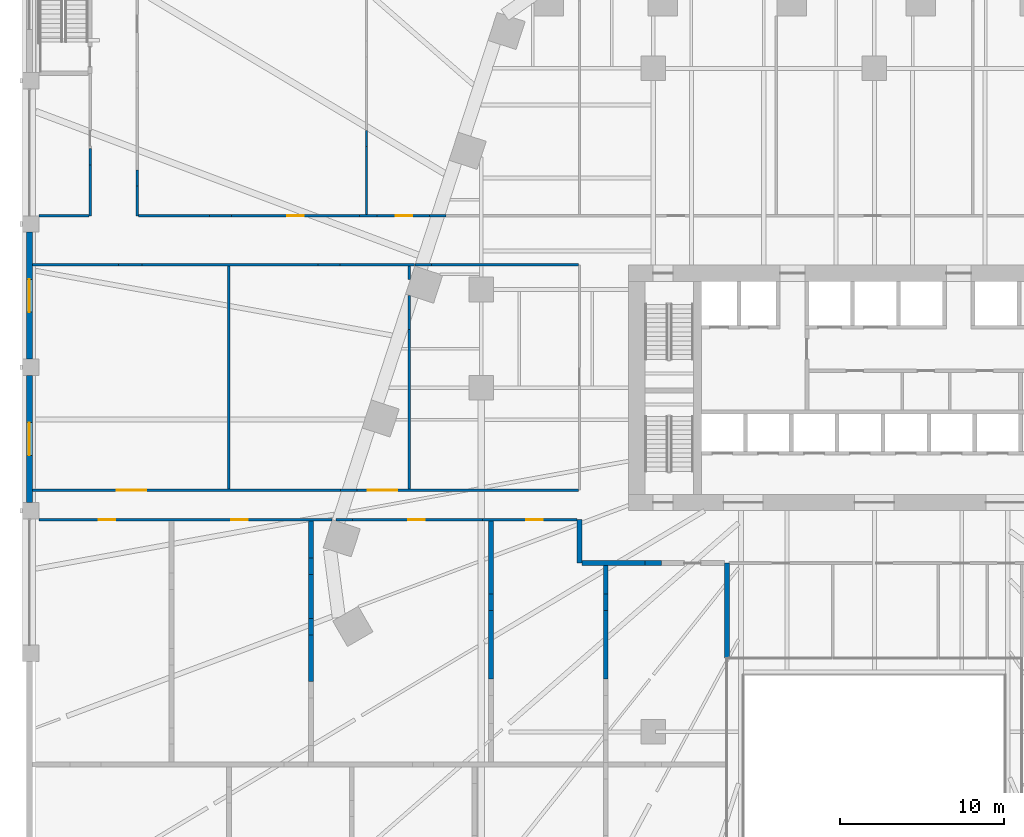
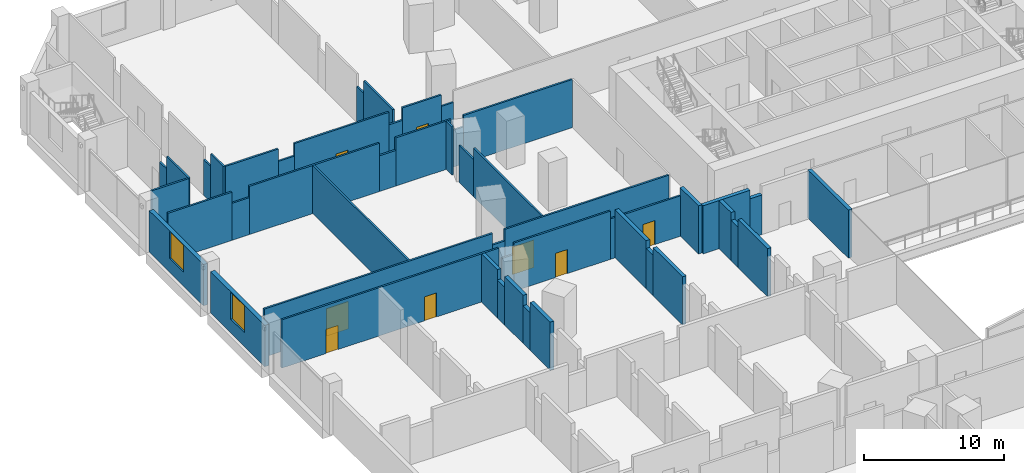
# One storey, part 15 of 33: 48 walls, 8 doors, 2 windows, 10 openings.
"""IFC4 building model written with IfcOpenShell, lengths in metres."""

from ifc_helpers import new_model, si_unit, direction, frame, frame_2d, origin, place, context, subcontext, project, spatial, rectangle, extrude, material, layer, layer_set, type_object, element, fill, save


model = new_model("IFC4")

# Units and contexts
model_context = context("Model", 3, precision=1e-05, world=origin(), true_north=direction((0.0, 1.0)))
body_context = subcontext(model_context, "Body", "Model", "MODEL_VIEW")
ifc_project = project(units=[si_unit("LENGTHUNIT", "METRE"), si_unit("AREAUNIT", "SQUARE_METRE"), si_unit("VOLUMEUNIT", "CUBIC_METRE"), si_unit("PLANEANGLEUNIT", "RADIAN"), si_unit("MASSUNIT", "GRAM", prefix="KILO")], contexts=[model_context])

# Site, building, storey
site_placement = place(None, origin())
site = spatial("IfcSite", under=ifc_project, at=site_placement, CompositionType="ELEMENT")
building_placement = place(site_placement, origin())
building = spatial("IfcBuilding", under=site, at=building_placement, Name="Isthmus Gate Tower", CompositionType="ELEMENT")
storey_placement = place(building_placement, frame((0.0, 0.0, 22.5)))
storey = spatial("IfcBuildingStorey", under=building, at=storey_placement, Name="L03", CompositionType="ELEMENT", Elevation=22.5)

# Walls
ifc_material_1 = material(Name="Double-leaf gypsum board with mineral wool, resilient mounted")
ifc_layer_1 = layer(ifc_material_1, 0.300048828125)
ifc_layer_set_1 = layer_set([ifc_layer_1], Name="Acoustic studio wall 300 double leaf")
wall_type_1 = type_object("IfcWallType", Name="Acoustic studio wall 300 double leaf", PredefinedType="PARTITIONING", material=ifc_layer_set_1)
wall_1_placement = place(storey_placement, frame((-17.85009765625, -3.199951171875, 0.0), z_axis=(0.0, 0.0, 1.0), x_axis=(1.0, 0.0, 0.0)))
element("IfcWall", 1, at=wall_1_placement, inside=storey, type_object=wall_type_1, Name="Acoustic studio wall", PredefinedType="PARTITIONING", context=body_context, shape_type="SweptSolid", body=[
    extrude(rectangle(XDim=3.85009765625, YDim=0.300048828125, at=frame_2d((1.925048828125, 0.0))), origin(), (0.0, 0.0, 1.0), 4.199951171875),
])
wall_2_placement = place(storey_placement, frame((-14.0, -3.199951171875, 0.0), z_axis=(0.0, 0.0, 1.0), x_axis=(1.0, 0.0, 0.0)))
element("IfcWall", 2, at=wall_2_placement, inside=storey, type_object=wall_type_1, Name="Acoustic studio wall", PredefinedType="PARTITIONING", context=body_context, shape_type="SweptSolid", body=[
    extrude(rectangle(XDim=1.0, YDim=0.300048828125, at=frame_2d((0.5, 0.0))), origin(), (0.0, 0.0, 1.0), 3.45068359375),
])
wall_3_placement = place(storey_placement, frame((-34.39990234375, -10.437744140625, 0.0), z_axis=(0.0, 0.0, 1.0), x_axis=(0.0, 1.0, 0.0)))
element("IfcWall", 3, at=wall_3_placement, inside=storey, type_object=wall_type_1, Name="Acoustic studio wall", PredefinedType="PARTITIONING", context=body_context, shape_type="SweptSolid", body=[
    extrude(rectangle(XDim=2.860107421875, YDim=0.300048828125, at=frame_2d((1.43017578125, 0.0))), origin(), (0.0, 0.0, 1.0), 4.199951171875),
])
wall_4_placement = place(storey_placement, frame((-34.39990234375, -7.57763671875, 0.0), z_axis=(0.0, 0.0, 1.0), x_axis=(0.0, 1.0, 0.0)))
element("IfcWall", 4, at=wall_4_placement, inside=storey, type_object=wall_type_1, Name="Acoustic studio wall", PredefinedType="PARTITIONING", context=body_context, shape_type="SweptSolid", body=[
    extrude(rectangle(XDim=1.0, YDim=0.300048828125, at=frame_2d((0.5, 0.0))), origin(), (0.0, 0.0, 1.0), 3.29833984375),
])
wall_5_placement = place(storey_placement, frame((-34.39990234375, -6.57763671875, 0.0), z_axis=(0.0, 0.0, 1.0), x_axis=(0.0, 1.0, 0.0)))
element("IfcWall", 5, at=wall_5_placement, inside=storey, type_object=wall_type_1, Name="Acoustic studio wall", PredefinedType="PARTITIONING", context=body_context, shape_type="SweptSolid", body=[
    extrude(rectangle(XDim=2.685546875, YDim=0.300048828125, at=frame_2d((1.3427734375, 0.0))), origin(), (0.0, 0.0, 1.0), 4.199951171875),
])
wall_6_placement = place(storey_placement, frame((-34.39990234375, -3.89208984375, 0.0), z_axis=(0.0, 0.0, 1.0), x_axis=(0.0, 1.0, 0.0)))
element("IfcWall", 6, at=wall_6_placement, inside=storey, type_object=wall_type_1, Name="Acoustic studio wall", PredefinedType="PARTITIONING", context=body_context, shape_type="SweptSolid", body=[
    extrude(rectangle(XDim=1.0, YDim=0.300048828125, at=frame_2d((0.5, 0.0))), origin(), (0.0, 0.0, 1.0), 3.29833984375),
])
wall_7_placement = place(storey_placement, frame((-34.39990234375, -2.89208984375, 0.0), z_axis=(0.0, 0.0, 1.0), x_axis=(0.0, 1.0, 0.0)))
element("IfcWall", 7, at=wall_7_placement, inside=storey, type_object=wall_type_1, Name="Acoustic studio wall", PredefinedType="PARTITIONING", context=body_context, shape_type="SweptSolid", body=[
    extrude(rectangle(XDim=2.26806640625, YDim=0.300048828125, at=frame_2d((1.134033203125, 0.0))), origin(), (0.0, 0.0, 1.0), 4.199951171875),
])
wall_8_placement = place(storey_placement, frame((-23.39990234375, -10.272705078125, 0.0), z_axis=(0.0, 0.0, 1.0), x_axis=(0.0, 1.0, 0.0)))
element("IfcWall", 8, at=wall_8_placement, inside=storey, type_object=wall_type_1, Name="Acoustic studio wall", PredefinedType="PARTITIONING", context=body_context, shape_type="SweptSolid", body=[
    extrude(rectangle(XDim=4.188232421875, YDim=0.300048828125, at=frame_2d((2.09423828125, 0.0))), origin(), (0.0, 0.0, 1.0), 4.199951171875),
])
wall_9_placement = place(storey_placement, frame((-23.39990234375, -6.08447265625, 0.0), z_axis=(0.0, 0.0, 1.0), x_axis=(0.0, 1.0, 0.0)))
element("IfcWall", 9, at=wall_9_placement, inside=storey, type_object=wall_type_1, Name="Acoustic studio wall", PredefinedType="PARTITIONING", context=body_context, shape_type="SweptSolid", body=[
    extrude(rectangle(XDim=1.0, YDim=0.300048828125, at=frame_2d((0.5, 0.0))), origin(), (0.0, 0.0, 1.0), 3.5205078125),
])
wall_10_placement = place(storey_placement, frame((-23.39990234375, -5.08447265625, 0.0), z_axis=(0.0, 0.0, 1.0), x_axis=(0.0, 1.0, 0.0)))
element("IfcWall", 10, at=wall_10_placement, inside=storey, type_object=wall_type_1, Name="Acoustic studio wall", PredefinedType="PARTITIONING", context=body_context, shape_type="SweptSolid", body=[
    extrude(rectangle(XDim=4.46044921875, YDim=0.300048828125, at=frame_2d((2.230224609375, 0.0))), origin(), (0.0, 0.0, 1.0), 4.199951171875),
])
wall_11_placement = place(storey_placement, frame((-18.0, -3.199951171875, 0.0), z_axis=(0.0, 0.0, 1.0), x_axis=(0.0, 1.0, 0.0)))
element("IfcWall", 11, at=wall_11_placement, inside=storey, type_object=wall_type_1, Name="Acoustic studio wall", PredefinedType="PARTITIONING", context=body_context, shape_type="SweptSolid", body=[
    extrude(rectangle(XDim=2.651123046875, YDim=0.300048828125, at=frame_2d((1.32568359375, 0.0))), origin(), (0.0, 0.0, 1.0), 4.199951171875),
])
wall_12_placement = place(storey_placement, frame((-16.39990234375, -10.272705078125, 0.0), z_axis=(0.0, 0.0, 1.0), x_axis=(0.0, 1.0, 0.0)))
element("IfcWall", 12, at=wall_12_placement, inside=storey, type_object=wall_type_1, Name="Acoustic studio wall", PredefinedType="PARTITIONING", context=body_context, shape_type="SweptSolid", body=[
    extrude(rectangle(XDim=4.188232421875, YDim=0.300048828125, at=frame_2d((2.09423828125, 0.0))), origin(), (0.0, 0.0, 1.0), 4.199951171875),
])
wall_13_placement = place(storey_placement, frame((-16.39990234375, -6.08447265625, 0.0), z_axis=(0.0, 0.0, 1.0), x_axis=(0.0, 1.0, 0.0)))
element("IfcWall", 13, at=wall_13_placement, inside=storey, type_object=wall_type_1, Name="Acoustic studio wall", PredefinedType="PARTITIONING", context=body_context, shape_type="SweptSolid", body=[
    extrude(rectangle(XDim=1.0, YDim=0.300048828125, at=frame_2d((0.5, 0.0))), origin(), (0.0, 0.0, 1.0), 3.5205078125),
])
wall_14_placement = place(storey_placement, frame((-16.39990234375, -5.08447265625, 0.0), z_axis=(0.0, 0.0, 1.0), x_axis=(0.0, 1.0, 0.0)))
element("IfcWall", 14, at=wall_14_placement, inside=storey, type_object=wall_type_1, Name="Acoustic studio wall", PredefinedType="PARTITIONING", context=body_context, shape_type="SweptSolid", body=[
    extrude(rectangle(XDim=1.734375, YDim=0.300048828125, at=frame_2d((0.8671875, 0.0))), origin(), (0.0, 0.0, 1.0), 4.199951171875),
])
wall_15_placement = place(storey_placement, frame((-9.0, -9.0, 0.0), z_axis=(0.0, 0.0, 1.0), x_axis=(0.0, 1.0, 0.0)))
element("IfcWall", 15, at=wall_15_placement, inside=storey, type_object=wall_type_1, Name="Acoustic studio wall", PredefinedType="PARTITIONING", context=body_context, shape_type="SweptSolid", body=[
    extrude(rectangle(XDim=5.800048828125, YDim=0.300048828125, at=frame_2d((2.89990234375, 0.0))), origin(), (0.0, 0.0, 1.0), 4.199951171875),
])
ifc_material_2 = material(Name="Fire-rated gypsum board on steel studs", Category="steel")
ifc_layer_2 = layer(ifc_material_2, 0.14990234375)
ifc_layer_set_2 = layer_set([ifc_layer_2], Name="Fire-rated partition 150 EI 60")
wall_type_2 = type_object("IfcWallType", Name="Fire-rated partition 150 EI 60", PredefinedType="PARTITIONING", material=ifc_layer_set_2)
wall_16_placement = place(storey_placement, frame((-47.875, 18.0, 0.0), z_axis=(0.0, 0.0, 1.0), x_axis=(0.0, 1.0, 0.0)))
element("IfcWall", 16, at=wall_16_placement, inside=storey, type_object=wall_type_2, Name="Fire-rated partition", PredefinedType="PARTITIONING", context=body_context, shape_type="SweptSolid", body=[
    extrude(rectangle(XDim=3.11572265625, YDim=0.14990234375, at=frame_2d((1.557861328125, 0.0))), origin(), (0.0, 0.0, 1.0), 4.199951171875),
])
wall_17_placement = place(storey_placement, frame((-47.875, 21.11572265625, 0.0), z_axis=(0.0, 0.0, 1.0), x_axis=(0.0, 1.0, 0.0)))
element("IfcWall", 17, at=wall_17_placement, inside=storey, type_object=wall_type_2, Name="Fire-rated partition", PredefinedType="PARTITIONING", context=body_context, shape_type="SweptSolid", body=[
    extrude(rectangle(XDim=1.0, YDim=0.14990234375, at=frame_2d((0.5, 0.0))), origin(), (0.0, 0.0, 1.0), 3.111083984375),
])
wall_18_placement = place(storey_placement, frame((-45.0, 18.0, 0.0), z_axis=(0.0, 0.0, 1.0), x_axis=(0.0, 1.0, 0.0)))
element("IfcWall", 18, at=wall_18_placement, inside=storey, type_object=wall_type_2, Name="Fire-rated partition", PredefinedType="PARTITIONING", context=body_context, shape_type="SweptSolid", body=[
    extrude(rectangle(XDim=1.81103515625, YDim=0.14990234375, at=frame_2d((0.905517578125, 0.0))), origin(), (0.0, 0.0, 1.0), 4.199951171875),
])
wall_19_placement = place(storey_placement, frame((-45.0, 19.81103515625, 0.0), z_axis=(0.0, 0.0, 1.0), x_axis=(0.0, 1.0, 0.0)))
element("IfcWall", 19, at=wall_19_placement, inside=storey, type_object=wall_type_2, Name="Fire-rated partition", PredefinedType="PARTITIONING", context=body_context, shape_type="SweptSolid", body=[
    extrude(rectangle(XDim=1.0, YDim=0.14990234375, at=frame_2d((0.5, 0.0))), origin(), (0.0, 0.0, 1.0), 3.111083984375),
])

# Wall, opening, window
ifc_material_3 = material(Name="Precast concrete C40/50, limestone-faced", Category="masonry")
ifc_layer_3 = layer(ifc_material_3, 0.35009765625)
ifc_layer_set_3 = layer_set([ifc_layer_3], Name="PODIUM CLADDING WALL 350")
wall_type_3 = type_object("IfcWallType", Name="PODIUM CLADDING WALL 350", PredefinedType="SOLIDWALL", material=ifc_layer_set_3)
wall_20_placement = place(storey_placement, frame((-51.574951171875, 17.0, -0.300048828125), z_axis=(0.0, 0.0, 1.0), x_axis=(0.0, -1.0, 0.0)))
wall_20 = element("IfcWall", 20, at=wall_20_placement, inside=storey, type_object=wall_type_3, Name="PODIUM WALL", PredefinedType="SOLIDWALL", context=body_context, shape_type="SweptSolid", body=[
    extrude(rectangle(XDim=7.75, YDim=0.35009765625, at=frame_2d((3.875, 0.0))), origin(), (0.0, 0.0, 1.0), 3.60009765625),
])
opening_1_placement = place(wall_20_placement, frame((2.875, 0.0, 1.199951171875)))
opening_1 = element("IfcOpeningElement", 21, at=opening_1_placement, cuts=wall_20, Name="Opening W059", PredefinedType="OPENING", context=body_context, shape_type="SweptSolid", body=[
    extrude(rectangle(XDim=2.0, YDim=2.35009765625, at=frame_2d((1.0, 1.175048828125))), frame((0.0, 0.18505859375, 0.0), z_axis=(0.0, -1.0, 0.0), x_axis=(1.0, 0.0, 0.0)), (0.0, 0.0, 1.0), 0.3701171875),
])
ifc_material_4 = material(Name="Aluminium, pale champagne anodised, laminated glass", Category="aluminium")
window_type = type_object("IfcWindowType", Name="PODIUM SLOT WINDOW 2000 X 2350", PartitioningType="SINGLE_PANEL", PredefinedType="WINDOW", material=ifc_material_4)
window_1_placement = place(opening_1_placement, origin())
window_1 = element("IfcWindow", 22, at=window_1_placement, inside=storey, type_object=window_type, Name="SLOT WINDOW", OverallHeight=2.35009765625, OverallWidth=2.0, PartitioningType="SINGLE_PANEL", PredefinedType="WINDOW", context=body_context, shape_type="SweptSolid", body=[
    extrude(rectangle(XDim=2.0, YDim=2.35009765625, at=frame_2d((1.0, 1.175048828125))), frame((0.0, 0.030029296875, 0.0), z_axis=(0.0, -1.0, 0.0), x_axis=(1.0, 0.0, 0.0)), (0.0, 0.0, 1.0), 0.06005859375),
])
fill(opening_1, window_1)

wall_21_placement = place(storey_placement, frame((-51.574951171875, 8.25, -0.300048828125), z_axis=(0.0, 0.0, 1.0), x_axis=(0.0, -1.0, 0.0)))
wall_21 = element("IfcWall", 23, at=wall_21_placement, inside=storey, type_object=wall_type_3, Name="PODIUM WALL", PredefinedType="SOLIDWALL", context=body_context, shape_type="SweptSolid", body=[
    extrude(rectangle(XDim=7.75, YDim=0.35009765625, at=frame_2d((3.875, 0.0))), origin(), (0.0, 0.0, 1.0), 3.60009765625),
])
opening_2_placement = place(wall_21_placement, frame((2.875, 0.0, 1.199951171875)))
opening_2 = element("IfcOpeningElement", 24, at=opening_2_placement, cuts=wall_21, Name="Opening W060", PredefinedType="OPENING", context=body_context, shape_type="SweptSolid", body=[
    extrude(rectangle(XDim=2.0, YDim=2.35009765625, at=frame_2d((1.0, 1.175048828125))), frame((0.0, 0.18505859375, 0.0), z_axis=(0.0, -1.0, 0.0), x_axis=(1.0, 0.0, 0.0)), (0.0, 0.0, 1.0), 0.3701171875),
])
window_2_placement = place(opening_2_placement, origin())
window_2 = element("IfcWindow", 25, at=window_2_placement, inside=storey, type_object=window_type, Name="SLOT WINDOW", OverallHeight=2.35009765625, OverallWidth=2.0, PartitioningType="SINGLE_PANEL", PredefinedType="WINDOW", context=body_context, shape_type="SweptSolid", body=[
    extrude(rectangle(XDim=2.0, YDim=2.35009765625, at=frame_2d((1.0, 1.175048828125))), frame((0.0, 0.030029296875, 0.0), z_axis=(0.0, -1.0, 0.0), x_axis=(1.0, 0.0, 0.0)), (0.0, 0.0, 1.0), 0.06005859375),
])
fill(opening_2, window_2)

# Wall, openings, doors
ifc_material_5 = material(Name="Gypsum board on cold-formed steel studs", Category="steel")
ifc_layer_4 = layer(ifc_material_5, 0.14990234375)
ifc_layer_set_4 = layer_set([ifc_layer_4])
wall_type_4 = type_object("IfcWallType", Name="Partition 150 gypsum board on steel studs", PredefinedType="PARTITIONING", material=ifc_layer_set_4)
wall_22_placement = place(storey_placement, frame((-51.0, -0.549072265625, 0.0), z_axis=(0.0, 0.0, 1.0), x_axis=(1.0, 0.0, 0.0)))
wall_22 = element("IfcWall", 26, at=wall_22_placement, inside=storey, type_object=wall_type_4, Name="Partition", PredefinedType="PARTITIONING", context=body_context, shape_type="SweptSolid", body=[
    extrude(rectangle(XDim=17.8857421875, YDim=0.14990234375, at=frame_2d((8.94287109375, 0.0))), origin(), (0.0, 0.0, 1.0), 4.199951171875),
])
opening_3_placement = place(wall_22_placement, frame((3.64990234375, 0.0, 0.0)))
opening_3 = element("IfcOpeningElement", 27, at=opening_3_placement, cuts=wall_22, Name="Opening DP03-09", PredefinedType="OPENING", context=body_context, shape_type="SweptSolid", body=[
    extrude(rectangle(XDim=1.0, YDim=2.10009765625, at=frame_2d((0.5, 1.050048828125))), frame((0.0, 0.0849609375, 0.0), z_axis=(0.0, -1.0, 0.0), x_axis=(1.0, 0.0, 0.0)), (0.0, 0.0, 1.0), 0.169921875),
])
opening_4_placement = place(wall_22_placement, frame((11.75, 0.0, 0.0)))
opening_4 = element("IfcOpeningElement", 28, at=opening_4_placement, cuts=wall_22, Name="Opening DP03-10", PredefinedType="OPENING", context=body_context, shape_type="SweptSolid", body=[
    extrude(rectangle(XDim=1.0, YDim=2.10009765625, at=frame_2d((0.5, 1.050048828125))), frame((0.0, 0.0849609375, 0.0), z_axis=(0.0, -1.0, 0.0), x_axis=(1.0, 0.0, 0.0)), (0.0, 0.0, 1.0), 0.169921875),
])
ifc_material_6 = material(Name="Hollow metal frame with solid-core timber leaf", Category="wood")
door_type_1 = type_object("IfcDoorType", Name="Single swing door 1000 x 2100", OperationType="SINGLE_SWING_LEFT", PredefinedType="DOOR", material=ifc_material_6)
door_1_placement = place(opening_3_placement, origin())
door_1 = element("IfcDoor", 29, at=door_1_placement, inside=storey, type_object=door_type_1, Name="Door DP03-09", OperationType="SINGLE_SWING_LEFT", OverallHeight=2.10009765625, OverallWidth=1.0, PredefinedType="DOOR", context=body_context, shape_type="SweptSolid", body=[
    extrude(rectangle(XDim=1.0, YDim=2.10009765625, at=frame_2d((0.5, 1.050048828125))), frame((0.0, 0.02490234375, 0.0), z_axis=(0.0, -1.0, 0.0), x_axis=(1.0, 0.0, 0.0)), (0.0, 0.0, 1.0), 0.050048828125),
])
fill(opening_3, door_1)
door_2_placement = place(opening_4_placement, origin())
door_2 = element("IfcDoor", 30, at=door_2_placement, inside=storey, type_object=door_type_1, Name="Door DP03-10", OperationType="SINGLE_SWING_LEFT", OverallHeight=2.10009765625, OverallWidth=1.0, PredefinedType="DOOR", context=body_context, shape_type="SweptSolid", body=[
    extrude(rectangle(XDim=1.0, YDim=2.10009765625, at=frame_2d((0.5, 1.050048828125))), frame((0.0, 0.02490234375, 0.0), z_axis=(0.0, -1.0, 0.0), x_axis=(1.0, 0.0, 0.0)), (0.0, 0.0, 1.0), 0.050048828125),
])
fill(opening_4, door_2)

# Wall
wall_23_placement = place(storey_placement, frame((-32.85888671875, -0.549072265625, 0.0), z_axis=(0.0, 0.0, 1.0), x_axis=(1.0, 0.0, 0.0)))
element("IfcWall", 31, at=wall_23_placement, inside=storey, type_object=wall_type_4, Name="Partition", PredefinedType="PARTITIONING", context=body_context, shape_type="SweptSolid", body=[
    extrude(rectangle(XDim=1.0, YDim=0.14990234375, at=frame_2d((0.5, 0.0))), origin(), (0.0, 0.0, 1.0), 3.199951171875),
])

# Wall, opening, door
wall_24_placement = place(storey_placement, frame((-31.85888671875, -0.549072265625, 0.0), z_axis=(0.0, 0.0, 1.0), x_axis=(1.0, 0.0, 0.0)))
wall_24 = element("IfcWall", 32, at=wall_24_placement, inside=storey, type_object=wall_type_4, Name="Partition", PredefinedType="PARTITIONING", context=body_context, shape_type="SweptSolid", body=[
    extrude(rectangle(XDim=7.936279296875, YDim=0.14990234375, at=frame_2d((3.96826171875, 0.0))), origin(), (0.0, 0.0, 1.0), 4.199951171875),
])
opening_5_placement = place(wall_24_placement, frame((3.39990234375, 0.0, 0.0)))
opening_5 = element("IfcOpeningElement", 33, at=opening_5_placement, cuts=wall_24, Name="Opening DP03-11", PredefinedType="OPENING", context=body_context, shape_type="SweptSolid", body=[
    extrude(rectangle(XDim=1.0, YDim=2.10009765625, at=frame_2d((0.5, 1.050048828125))), frame((0.0, 0.0849609375, 0.0), z_axis=(0.0, -1.0, 0.0), x_axis=(1.0, 0.0, 0.0)), (0.0, 0.0, 1.0), 0.169921875),
])
door_3_placement = place(opening_5_placement, origin())
door_3 = element("IfcDoor", 34, at=door_3_placement, inside=storey, type_object=door_type_1, Name="Door DP03-11", OperationType="SINGLE_SWING_LEFT", OverallHeight=2.10009765625, OverallWidth=1.0, PredefinedType="DOOR", context=body_context, shape_type="SweptSolid", body=[
    extrude(rectangle(XDim=1.0, YDim=2.10009765625, at=frame_2d((0.5, 1.050048828125))), frame((0.0, 0.02490234375, 0.0), z_axis=(0.0, -1.0, 0.0), x_axis=(1.0, 0.0, 0.0)), (0.0, 0.0, 1.0), 0.050048828125),
])
fill(opening_5, door_3)

wall_25_placement = place(storey_placement, frame((-23.922607421875, -0.549072265625, 0.0), z_axis=(0.0, 0.0, 1.0), x_axis=(1.0, 0.0, 0.0)))
wall_25 = element("IfcWall", 35, at=wall_25_placement, inside=storey, type_object=wall_type_4, Name="Partition", PredefinedType="PARTITIONING", context=body_context, shape_type="SweptSolid", body=[
    extrude(rectangle(XDim=5.772705078125, YDim=0.14990234375, at=frame_2d((2.88623046875, 0.0))), origin(), (0.0, 0.0, 1.0), 3.5205078125),
])
opening_6_placement = place(wall_25_placement, frame((2.672607421875, 0.0, 0.0)))
opening_6 = element("IfcOpeningElement", 36, at=opening_6_placement, cuts=wall_25, Name="Opening DP03-12", PredefinedType="OPENING", context=body_context, shape_type="SweptSolid", body=[
    extrude(rectangle(XDim=1.0, YDim=2.10009765625, at=frame_2d((0.5, 1.050048828125))), frame((0.0, 0.0849609375, 0.0), z_axis=(0.0, -1.0, 0.0), x_axis=(1.0, 0.0, 0.0)), (0.0, 0.0, 1.0), 0.169921875),
])
door_4_placement = place(opening_6_placement, origin())
door_4 = element("IfcDoor", 37, at=door_4_placement, inside=storey, type_object=door_type_1, Name="Door DP03-12", OperationType="SINGLE_SWING_LEFT", OverallHeight=2.10009765625, OverallWidth=1.0, PredefinedType="DOOR", context=body_context, shape_type="SweptSolid", body=[
    extrude(rectangle(XDim=1.0, YDim=2.10009765625, at=frame_2d((0.5, 1.050048828125))), frame((0.0, 0.02490234375, 0.0), z_axis=(0.0, -1.0, 0.0), x_axis=(1.0, 0.0, 0.0)), (0.0, 0.0, 1.0), 0.050048828125),
])
fill(opening_6, door_4)

wall_26_placement = place(storey_placement, frame((-51.39990234375, 1.2509765625, 0.0), z_axis=(0.0, 0.0, 1.0), x_axis=(1.0, 0.0, 0.0)))
wall_26 = element("IfcWall", 38, at=wall_26_placement, inside=storey, type_object=wall_type_4, Name="Partition", PredefinedType="PARTITIONING", context=body_context, shape_type="SweptSolid", body=[
    extrude(rectangle(XDim=18.8154296875, YDim=0.14990234375, at=frame_2d((9.40771484375, 0.0))), origin(), (0.0, 0.0, 1.0), 4.199951171875),
])
opening_7_placement = place(wall_26_placement, frame((5.14990234375, 0.0, 0.0)))
opening_7 = element("IfcOpeningElement", 39, at=opening_7_placement, cuts=wall_26, Name="Opening DP03-40", PredefinedType="OPENING", context=body_context, shape_type="SweptSolid", body=[
    extrude(rectangle(XDim=1.800048828125, YDim=2.39990234375, at=frame_2d((0.89990234375, 1.199951171875))), frame((0.0, 0.0849609375, 0.0), z_axis=(0.0, -1.0, 0.0), x_axis=(1.0, 0.0, 0.0)), (0.0, 0.0, 1.0), 0.169921875),
])
ifc_material_7 = material(Name="Hollow metal frame with solid-core timber leaves", Category="wood")
door_type_2 = type_object("IfcDoorType", Name="Double swing door 1800 x 2400", OperationType="DOUBLE_DOOR_SINGLE_SWING", PredefinedType="DOOR", material=ifc_material_7)
door_5_placement = place(opening_7_placement, origin())
door_5 = element("IfcDoor", 40, at=door_5_placement, inside=storey, type_object=door_type_2, Name="Door DP03-40", OperationType="SINGLE_SWING_LEFT", OverallHeight=2.39990234375, OverallWidth=1.800048828125, PredefinedType="DOOR", context=body_context, shape_type="SweptSolid", body=[
    extrude(rectangle(XDim=1.800048828125, YDim=2.39990234375, at=frame_2d((0.89990234375, 1.199951171875))), frame((0.0, 0.02490234375, 0.0), z_axis=(0.0, -1.0, 0.0), x_axis=(1.0, 0.0, 0.0)), (0.0, 0.0, 1.0), 0.050048828125),
])
fill(opening_7, door_5)

# Wall
wall_27_placement = place(storey_placement, frame((-32.58447265625, 1.2509765625, 0.0), z_axis=(0.0, 0.0, 1.0), x_axis=(1.0, 0.0, 0.0)))
element("IfcWall", 41, at=wall_27_placement, inside=storey, type_object=wall_type_4, Name="Partition", PredefinedType="PARTITIONING", context=body_context, shape_type="SweptSolid", body=[
    extrude(rectangle(XDim=1.0, YDim=0.14990234375, at=frame_2d((0.5, 0.0))), origin(), (0.0, 0.0, 1.0), 3.199951171875),
])

# Wall, opening, door
wall_28_placement = place(storey_placement, frame((-31.58447265625, 1.2509765625, 0.0), z_axis=(0.0, 0.0, 1.0), x_axis=(1.0, 0.0, 0.0)))
wall_28 = element("IfcWall", 42, at=wall_28_placement, inside=storey, type_object=wall_type_4, Name="Partition", PredefinedType="PARTITIONING", context=body_context, shape_type="SweptSolid", body=[
    extrude(rectangle(XDim=13.509521484375, YDim=0.14990234375, at=frame_2d((6.7548828125, 0.0))), origin(), (0.0, 0.0, 1.0), 4.199951171875),
])
opening_8_placement = place(wall_28_placement, frame((0.64990234375, 0.0, 0.0)))
opening_8 = element("IfcOpeningElement", 43, at=opening_8_placement, cuts=wall_28, Name="Opening DP03-41", PredefinedType="OPENING", context=body_context, shape_type="SweptSolid", body=[
    extrude(rectangle(XDim=1.800048828125, YDim=2.39990234375, at=frame_2d((0.89990234375, 1.199951171875))), frame((0.0, 0.0849609375, 0.0), z_axis=(0.0, -1.0, 0.0), x_axis=(1.0, 0.0, 0.0)), (0.0, 0.0, 1.0), 0.169921875),
])
door_6_placement = place(opening_8_placement, origin())
door_6 = element("IfcDoor", 44, at=door_6_placement, inside=storey, type_object=door_type_2, Name="Door DP03-41", OperationType="SINGLE_SWING_LEFT", OverallHeight=2.39990234375, OverallWidth=1.800048828125, PredefinedType="DOOR", context=body_context, shape_type="SweptSolid", body=[
    extrude(rectangle(XDim=1.800048828125, YDim=2.39990234375, at=frame_2d((0.89990234375, 1.199951171875))), frame((0.0, 0.02490234375, 0.0), z_axis=(0.0, -1.0, 0.0), x_axis=(1.0, 0.0, 0.0)), (0.0, 0.0, 1.0), 0.050048828125),
])
fill(opening_8, door_6)

# Walls
wall_29_placement = place(storey_placement, frame((-51.39990234375, 15.0, 0.0), z_axis=(0.0, 0.0, 1.0), x_axis=(1.0, 0.0, 0.0)))
element("IfcWall", 45, at=wall_29_placement, inside=storey, type_object=wall_type_4, Name="Partition", PredefinedType="PARTITIONING", context=body_context, shape_type="SweptSolid", body=[
    extrude(rectangle(XDim=5.27734375, YDim=0.14990234375, at=frame_2d((2.638671875, 0.0))), origin(), (0.0, 0.0, 1.0), 4.199951171875),
])
wall_30_placement = place(storey_placement, frame((-46.12255859375, 15.0, 0.0), z_axis=(0.0, 0.0, 1.0), x_axis=(1.0, 0.0, 0.0)))
element("IfcWall", 46, at=wall_30_placement, inside=storey, type_object=wall_type_4, Name="Partition", PredefinedType="PARTITIONING", context=body_context, shape_type="SweptSolid", body=[
    extrude(rectangle(XDim=1.427734375, YDim=0.14990234375, at=frame_2d((0.7138671875, 0.0))), origin(), (0.0, 0.0, 1.0), 3.218994140625),
])
wall_31_placement = place(storey_placement, frame((-44.69482421875, 15.0, 0.0), z_axis=(0.0, 0.0, 1.0), x_axis=(1.0, 0.0, 0.0)))
element("IfcWall", 47, at=wall_31_placement, inside=storey, type_object=wall_type_4, Name="Partition", PredefinedType="PARTITIONING", context=body_context, shape_type="SweptSolid", body=[
    extrude(rectangle(XDim=10.73388671875, YDim=0.14990234375, at=frame_2d((5.366943359375, 0.0))), origin(), (0.0, 0.0, 1.0), 4.199951171875),
])
wall_32_placement = place(storey_placement, frame((-33.9609375, 15.0, 0.0), z_axis=(0.0, 0.0, 1.0), x_axis=(1.0, 0.0, 0.0)))
element("IfcWall", 48, at=wall_32_placement, inside=storey, type_object=wall_type_4, Name="Partition", PredefinedType="PARTITIONING", context=body_context, shape_type="SweptSolid", body=[
    extrude(rectangle(XDim=1.3310546875, YDim=0.14990234375, at=frame_2d((0.66552734375, 0.0))), origin(), (0.0, 0.0, 1.0), 3.111083984375),
])
wall_33_placement = place(storey_placement, frame((-32.6298828125, 15.0, 0.0), z_axis=(0.0, 0.0, 1.0), x_axis=(1.0, 0.0, 0.0)))
element("IfcWall", 49, at=wall_33_placement, inside=storey, type_object=wall_type_4, Name="Partition", PredefinedType="PARTITIONING", context=body_context, shape_type="SweptSolid", body=[
    extrude(rectangle(XDim=4.56787109375, YDim=0.14990234375, at=frame_2d((2.283935546875, 0.0))), origin(), (0.0, 0.0, 1.0), 4.199951171875),
])
wall_34_placement = place(storey_placement, frame((-28.034912109375, 15.0, 0.0), z_axis=(0.0, 0.0, 1.0), x_axis=(1.0, 0.0, 0.0)))
element("IfcWall", 50, at=wall_34_placement, inside=storey, type_object=wall_type_4, Name="Partition", PredefinedType="PARTITIONING", context=body_context, shape_type="SweptSolid", body=[
    extrude(rectangle(XDim=1.0, YDim=0.14990234375, at=frame_2d((0.5, 0.0))), origin(), (0.0, 0.0, 1.0), 3.199951171875),
])
wall_35_placement = place(storey_placement, frame((-27.034912109375, 15.0, 0.0), z_axis=(0.0, 0.0, 1.0), x_axis=(1.0, 0.0, 0.0)))
element("IfcWall", 51, at=wall_35_placement, inside=storey, type_object=wall_type_4, Name="Partition", PredefinedType="PARTITIONING", context=body_context, shape_type="SweptSolid", body=[
    extrude(rectangle(XDim=8.9599609375, YDim=0.14990234375, at=frame_2d((4.47998046875, 0.0))), origin(), (0.0, 0.0, 1.0), 4.199951171875),
])
wall_36_placement = place(storey_placement, frame((-51.0, 18.0, 0.0), z_axis=(0.0, 0.0, 1.0), x_axis=(1.0, 0.0, 0.0)))
element("IfcWall", 52, at=wall_36_placement, inside=storey, type_object=wall_type_4, Name="Partition", PredefinedType="PARTITIONING", context=body_context, shape_type="SweptSolid", body=[
    extrude(rectangle(XDim=3.050048828125, YDim=0.14990234375, at=frame_2d((1.52490234375, 0.0))), origin(), (0.0, 0.0, 1.0), 4.199951171875),
])
wall_37_placement = place(storey_placement, frame((-44.925048828125, 18.0, 0.0), z_axis=(0.0, 0.0, 1.0), x_axis=(1.0, 0.0, 0.0)))
element("IfcWall", 53, at=wall_37_placement, inside=storey, type_object=wall_type_4, Name="Partition", PredefinedType="PARTITIONING", context=body_context, shape_type="SweptSolid", body=[
    extrude(rectangle(XDim=4.352783203125, YDim=0.14990234375, at=frame_2d((2.17626953125, 0.0))), origin(), (0.0, 0.0, 1.0), 4.199951171875),
])
wall_38_placement = place(storey_placement, frame((-40.572265625, 18.0, 0.0), z_axis=(0.0, 0.0, 1.0), x_axis=(1.0, 0.0, 0.0)))
element("IfcWall", 54, at=wall_38_placement, inside=storey, type_object=wall_type_4, Name="Partition", PredefinedType="PARTITIONING", context=body_context, shape_type="SweptSolid", body=[
    extrude(rectangle(XDim=1.3310546875, YDim=0.14990234375, at=frame_2d((0.66552734375, 0.0))), origin(), (0.0, 0.0, 1.0), 3.111083984375),
])

# Wall, opening, door
wall_39_placement = place(storey_placement, frame((-39.2412109375, 18.0, 0.0), z_axis=(0.0, 0.0, 1.0), x_axis=(1.0, 0.0, 0.0)))
wall_39 = element("IfcWall", 55, at=wall_39_placement, inside=storey, type_object=wall_type_4, Name="Partition", PredefinedType="PARTITIONING", context=body_context, shape_type="SweptSolid", body=[
    extrude(rectangle(XDim=7.806884765625, YDim=0.14990234375, at=frame_2d((3.9033203125, 0.0))), origin(), (0.0, 0.0, 1.0), 4.199951171875),
])
opening_9_placement = place(wall_39_placement, frame((3.39990234375, 0.0, 0.0)))
opening_9 = element("IfcOpeningElement", 56, at=opening_9_placement, cuts=wall_39, Name="Opening DP03-32", PredefinedType="OPENING", context=body_context, shape_type="SweptSolid", body=[
    extrude(rectangle(XDim=1.0, YDim=2.10009765625, at=frame_2d((0.5, 1.050048828125))), frame((0.0, 0.0849609375, 0.0), z_axis=(0.0, -1.0, 0.0), x_axis=(1.0, 0.0, 0.0)), (0.0, 0.0, 1.0), 0.169921875),
])
door_7_placement = place(opening_9_placement, origin())
door_7 = element("IfcDoor", 57, at=door_7_placement, inside=storey, type_object=door_type_1, Name="Door DP03-32", OperationType="SINGLE_SWING_LEFT", OverallHeight=2.10009765625, OverallWidth=1.0, PredefinedType="DOOR", context=body_context, shape_type="SweptSolid", body=[
    extrude(rectangle(XDim=1.0, YDim=2.10009765625, at=frame_2d((0.5, 1.050048828125))), frame((0.0, 0.02490234375, 0.0), z_axis=(0.0, -1.0, 0.0), x_axis=(1.0, 0.0, 0.0)), (0.0, 0.0, 1.0), 0.050048828125),
])
fill(opening_9, door_7)

# Wall
wall_40_placement = place(storey_placement, frame((-31.434326171875, 18.0, 0.0), z_axis=(0.0, 0.0, 1.0), x_axis=(1.0, 0.0, 0.0)))
element("IfcWall", 58, at=wall_40_placement, inside=storey, type_object=wall_type_4, Name="Partition", PredefinedType="PARTITIONING", context=body_context, shape_type="SweptSolid", body=[
    extrude(rectangle(XDim=1.083251953125, YDim=0.14990234375, at=frame_2d((0.54150390625, 0.0))), origin(), (0.0, 0.0, 1.0), 3.111083984375),
])

# Wall, opening, door
wall_41_placement = place(storey_placement, frame((-30.35107421875, 18.0, 0.0), z_axis=(0.0, 0.0, 1.0), x_axis=(1.0, 0.0, 0.0)))
wall_41 = element("IfcWall", 59, at=wall_41_placement, inside=storey, type_object=wall_type_4, Name="Partition", PredefinedType="PARTITIONING", context=body_context, shape_type="SweptSolid", body=[
    extrude(rectangle(XDim=3.208740234375, YDim=0.14990234375, at=frame_2d((1.6044921875, 0.0))), origin(), (0.0, 0.0, 1.0), 4.199951171875),
])
opening_10_placement = place(wall_41_placement, frame((1.14990234375, 0.0, 0.0)))
opening_10 = element("IfcOpeningElement", 60, at=opening_10_placement, cuts=wall_41, Name="Opening DP03-33", PredefinedType="OPENING", context=body_context, shape_type="SweptSolid", body=[
    extrude(rectangle(XDim=1.0, YDim=2.10009765625, at=frame_2d((0.5, 1.050048828125))), frame((0.0, 0.0849609375, 0.0), z_axis=(0.0, -1.0, 0.0), x_axis=(1.0, 0.0, 0.0)), (0.0, 0.0, 1.0), 0.169921875),
])
door_8_placement = place(opening_10_placement, origin())
door_8 = element("IfcDoor", 61, at=door_8_placement, inside=storey, type_object=door_type_1, Name="Door DP03-33", OperationType="SINGLE_SWING_LEFT", OverallHeight=2.10009765625, OverallWidth=1.0, PredefinedType="DOOR", context=body_context, shape_type="SweptSolid", body=[
    extrude(rectangle(XDim=1.0, YDim=2.10009765625, at=frame_2d((0.5, 1.050048828125))), frame((0.0, 0.02490234375, 0.0), z_axis=(0.0, -1.0, 0.0), x_axis=(1.0, 0.0, 0.0)), (0.0, 0.0, 1.0), 0.050048828125),
])
fill(opening_10, door_8)

# Walls
wall_42_placement = place(storey_placement, frame((-27.142333984375, 18.0, 0.0), z_axis=(0.0, 0.0, 1.0), x_axis=(1.0, 0.0, 0.0)))
element("IfcWall", 62, at=wall_42_placement, inside=storey, type_object=wall_type_4, Name="Partition", PredefinedType="PARTITIONING", context=body_context, shape_type="SweptSolid", body=[
    extrude(rectangle(XDim=1.0, YDim=0.14990234375, at=frame_2d((0.5, 0.0))), origin(), (0.0, 0.0, 1.0), 3.199951171875),
])
wall_43_placement = place(storey_placement, frame((-39.39990234375, 1.325927734375, 0.0), z_axis=(0.0, 0.0, 1.0), x_axis=(0.0, 1.0, 0.0)))
element("IfcWall", 63, at=wall_43_placement, inside=storey, type_object=wall_type_4, Name="Partition", PredefinedType="PARTITIONING", context=body_context, shape_type="SweptSolid", body=[
    extrude(rectangle(XDim=13.59912109375, YDim=0.14990234375, at=frame_2d((6.799560546875, 0.0))), origin(), (0.0, 0.0, 1.0), 4.199951171875),
])
wall_44_placement = place(storey_placement, frame((-31.0, 18.074951171875, 0.0), z_axis=(0.0, 0.0, 1.0), x_axis=(0.0, 1.0, 0.0)))
element("IfcWall", 64, at=wall_44_placement, inside=storey, type_object=wall_type_4, Name="Partition", PredefinedType="PARTITIONING", context=body_context, shape_type="SweptSolid", body=[
    extrude(rectangle(XDim=4.14501953125, YDim=0.14990234375, at=frame_2d((2.072509765625, 0.0))), origin(), (0.0, 0.0, 1.0), 4.199951171875),
])
wall_45_placement = place(storey_placement, frame((-31.0, 22.219970703125, 0.0), z_axis=(0.0, 0.0, 1.0), x_axis=(0.0, 1.0, 0.0)))
element("IfcWall", 65, at=wall_45_placement, inside=storey, type_object=wall_type_4, Name="Partition", PredefinedType="PARTITIONING", context=body_context, shape_type="SweptSolid", body=[
    extrude(rectangle(XDim=1.0, YDim=0.14990234375, at=frame_2d((0.5, 0.0))), origin(), (0.0, 0.0, 1.0), 3.111083984375),
])
wall_46_placement = place(storey_placement, frame((-28.39990234375, 1.325927734375, 0.0), z_axis=(0.0, 0.0, 1.0), x_axis=(0.0, 1.0, 0.0)))
element("IfcWall", 66, at=wall_46_placement, inside=storey, type_object=wall_type_4, Name="Partition", PredefinedType="PARTITIONING", context=body_context, shape_type="SweptSolid", body=[
    extrude(rectangle(XDim=9.7275390625, YDim=0.14990234375, at=frame_2d((4.86376953125, 0.0))), origin(), (0.0, 0.0, 1.0), 4.199951171875),
])
wall_47_placement = place(storey_placement, frame((-28.39990234375, 11.053466796875, 0.0), z_axis=(0.0, 0.0, 1.0), x_axis=(0.0, 1.0, 0.0)))
element("IfcWall", 67, at=wall_47_placement, inside=storey, type_object=wall_type_4, Name="Partition", PredefinedType="PARTITIONING", context=body_context, shape_type="SweptSolid", body=[
    extrude(rectangle(XDim=2.0732421875, YDim=0.14990234375, at=frame_2d((1.03662109375, 0.0))), origin(), (0.0, 0.0, 1.0), 3.199951171875),
])
wall_48_placement = place(storey_placement, frame((-28.39990234375, 14.115966796875, 0.0), z_axis=(0.0, 0.0, 1.0), x_axis=(0.0, 1.0, 0.0)))
element("IfcWall", 68, at=wall_48_placement, inside=storey, type_object=wall_type_4, Name="Partition", PredefinedType="PARTITIONING", context=body_context, shape_type="SweptSolid", body=[
    extrude(rectangle(XDim=0.80908203125, YDim=0.14990234375, at=frame_2d((0.404541015625, 0.0))), origin(), (0.0, 0.0, 1.0), 4.199951171875),
])

save(model, "model.ifc")
